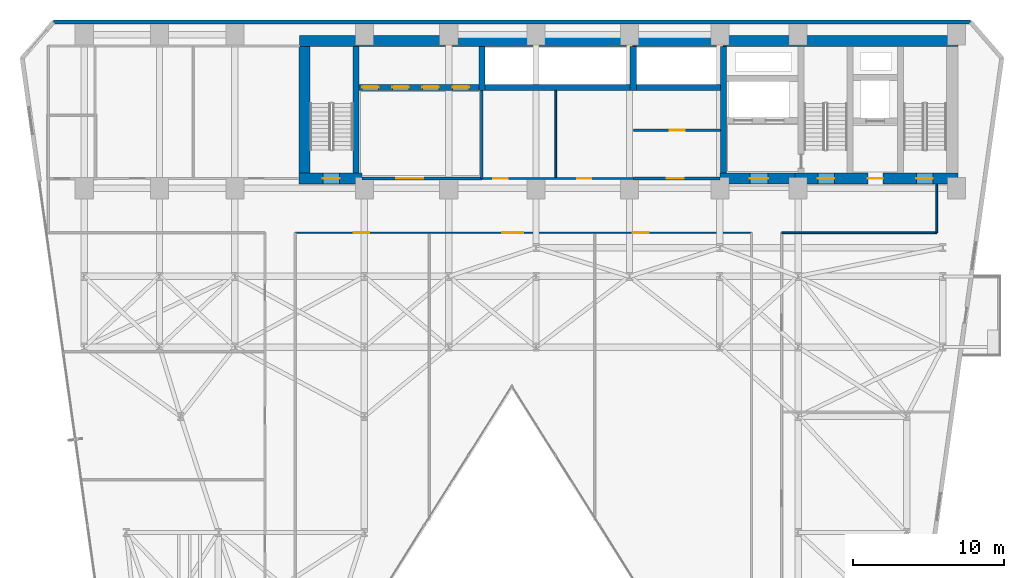
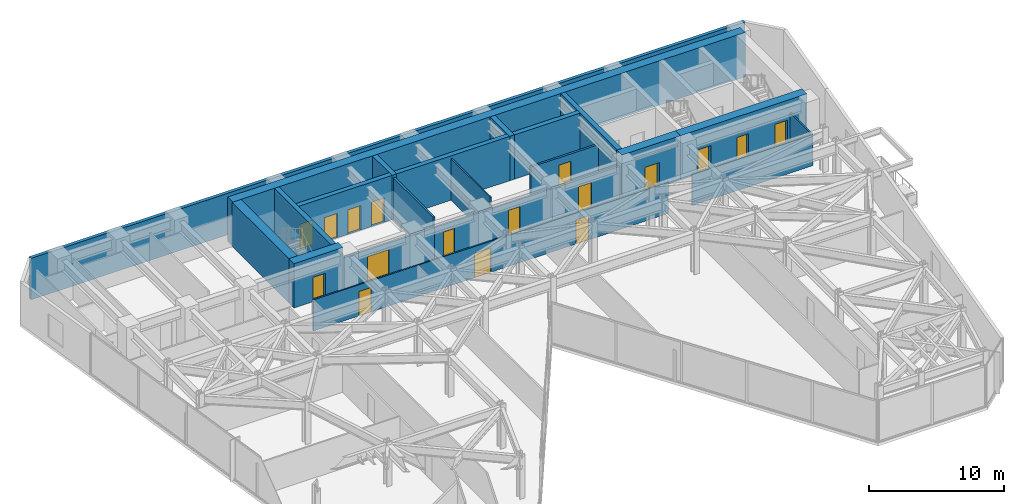
# One storey, part 20 of 25: 22 walls, 17 doors, 17 openings.
"""IFC4 building model written with IfcOpenShell, lengths in metres."""

from ifc_helpers import new_model, si_unit, direction, frame, frame_2d, origin, place, context, subcontext, project, spatial, rectangle, extrude, material, layer, layer_set, type_object, element, fill, save


model = new_model("IFC4")

# Units and contexts
model_context = context("Model", 3, precision=1e-05, world=origin(), true_north=direction((0.0, 1.0)))
body_context = subcontext(model_context, "Body", "Model", "MODEL_VIEW")
ifc_project = project(units=[si_unit("LENGTHUNIT", "METRE"), si_unit("AREAUNIT", "SQUARE_METRE"), si_unit("VOLUMEUNIT", "CUBIC_METRE"), si_unit("PLANEANGLEUNIT", "RADIAN"), si_unit("MASSUNIT", "GRAM", prefix="KILO")], contexts=[model_context])

# Site, building, storey
site_placement = place(None, origin())
site = spatial("IfcSite", under=ifc_project, at=site_placement, CompositionType="ELEMENT")
building_placement = place(site_placement, origin())
building = spatial("IfcBuilding", under=site, at=building_placement, Name="Kravanh Interchange Tower", CompositionType="ELEMENT")
storey_placement = place(building_placement, frame((0.0, 0.0, 33.5)))
storey = spatial("IfcBuildingStorey", under=building, at=storey_placement, Name="L07", CompositionType="ELEMENT", Elevation=33.5)

# Wall
ifc_material_1 = material(Name="Double Acoustic Gypsum Board and Mineral Wool")
ifc_layer_1 = layer(ifc_material_1, 0.1201171875)
ifc_layer_set_1 = layer_set([ifc_layer_1], Name="Acoustic Office Drywall Partition 120mm")
wall_type_1 = type_object("IfcWallType", Name="Acoustic Office Drywall Partition 120mm", PredefinedType="PARTITIONING", material=ifc_layer_set_1)
wall_1_placement = place(storey_placement, frame((39.89990234375, 38.068115234375, 0.0), z_axis=(0.0, 0.0, 1.0), x_axis=(0.0, 1.0, 0.0)))
element("IfcWall", 1, at=wall_1_placement, inside=storey, type_object=wall_type_1, Name="L07 Interior Partition 6", PredefinedType="PARTITIONING", context=body_context, shape_type="SweptSolid", body=[
    extrude(rectangle(XDim=5.77392578125, YDim=0.1201171875, at=frame_2d((2.886962890625, 0.0))), origin(), (0.0, 0.0, 1.0), 3.739990234375),
])

# Wall, openings, doors
wall_2_placement = place(storey_placement, frame((22.60009765625, 34.39990234375, 0.0), z_axis=(0.0, 0.0, 1.0), x_axis=(1.0, 0.0, 0.0)))
wall_2 = element("IfcWall", 2, at=wall_2_placement, inside=storey, type_object=wall_type_1, Name="L07 Interior Partition 14", PredefinedType="PARTITIONING", context=body_context, shape_type="SweptSolid", body=[
    extrude(rectangle(XDim=30.2998046875, YDim=0.1201171875, at=frame_2d((15.14990234375, 0.0))), origin(), (0.0, 0.0, 1.0), 2.81298828125),
])
opening_1_placement = place(wall_2_placement, frame((3.884521484375, 0.0, 0.0)))
opening_1 = element("IfcOpeningElement", 3, at=opening_1_placement, cuts=wall_2, Name="Opening D-105", PredefinedType="OPENING", context=body_context, shape_type="SweptSolid", body=[
    extrude(rectangle(XDim=1.050048828125, YDim=2.199951171875, at=frame_2d((0.52490234375, 1.10009765625))), frame((0.0, 0.070068359375, 0.0), z_axis=(0.0, -1.0, 0.0), x_axis=(1.0, 0.0, 0.0)), (0.0, 0.0, 1.0), 0.14013671875),
])
opening_2_placement = place(wall_2_placement, frame((13.740234375, 0.0, 0.0)))
opening_2 = element("IfcOpeningElement", 4, at=opening_2_placement, cuts=wall_2, Name="Opening DBL-140", PredefinedType="OPENING", context=body_context, shape_type="SweptSolid", body=[
    extrude(rectangle(XDim=1.39990234375, YDim=2.199951171875, at=frame_2d((0.699951171875, 1.10009765625))), frame((0.0, 0.070068359375, 0.0), z_axis=(0.0, -1.0, 0.0), x_axis=(1.0, 0.0, 0.0)), (0.0, 0.0, 1.0), 0.14013671875),
])
opening_3_placement = place(wall_2_placement, frame((22.41552734375, 0.0, 0.0)))
opening_3 = element("IfcOpeningElement", 5, at=opening_3_placement, cuts=wall_2, Name="Opening D-105", PredefinedType="OPENING", context=body_context, shape_type="SweptSolid", body=[
    extrude(rectangle(XDim=1.050048828125, YDim=2.199951171875, at=frame_2d((0.52490234375, 1.10009765625))), frame((0.0, 0.070068359375, 0.0), z_axis=(0.0, -1.0, 0.0), x_axis=(1.0, 0.0, 0.0)), (0.0, 0.0, 1.0), 0.14013671875),
])
ifc_material_2 = material(Name="Acoustic Bronze-Framed Glass", Category="glass")
door_type_1 = type_object("IfcDoorType", Name="Hospitality Lounge Double Door 1400x2200", OperationType="DOUBLE_DOOR_SINGLE_SWING", PredefinedType="DOOR", material=ifc_material_2)
door_1_placement = place(opening_2_placement, origin())
door_1 = element("IfcDoor", 6, at=door_1_placement, inside=storey, type_object=door_type_1, Name="L07 Staff Tea Kitchenette Door", OperationType="DOUBLE_DOOR_SINGLE_SWING", OverallHeight=2.199951171875, OverallWidth=1.39990234375, PredefinedType="DOOR", context=body_context, shape_type="SweptSolid", body=[
    extrude(rectangle(XDim=1.39990234375, YDim=2.199951171875, at=frame_2d((0.699951171875, 1.10009765625))), frame((0.0, 0.02490234375, 0.0), z_axis=(0.0, -1.0, 0.0), x_axis=(1.0, 0.0, 0.0)), (0.0, 0.0, 1.0), 0.050048828125),
])
fill(opening_2, door_1)
ifc_material_3 = material(Name="Acoustic Glazed Oak and Aluminium", Category="aluminium")
door_type_2 = type_object("IfcDoorType", Name="Office Workplace Door 1050x2200", OperationType="NOTDEFINED", PredefinedType="DOOR", material=ifc_material_3)
door_2_placement = place(opening_1_placement, origin())
door_2 = element("IfcDoor", 7, at=door_2_placement, inside=storey, type_object=door_type_2, Name="L07 Central Briefing Boardroom Door", OperationType="SINGLE_SWING_RIGHT", OverallHeight=2.199951171875, OverallWidth=1.050048828125, PredefinedType="DOOR", context=body_context, shape_type="SweptSolid", body=[
    extrude(rectangle(XDim=1.050048828125, YDim=2.199951171875, at=frame_2d((0.52490234375, 1.10009765625))), frame((0.0, 0.02490234375, 0.0), z_axis=(0.0, -1.0, 0.0), x_axis=(1.0, 0.0, 0.0)), (0.0, 0.0, 1.0), 0.050048828125),
])
fill(opening_1, door_2)
door_3_placement = place(opening_3_placement, origin())
door_3 = element("IfcDoor", 8, at=door_3_placement, inside=storey, type_object=door_type_2, Name="L07 Project Archive Store Door", OperationType="SINGLE_SWING_LEFT", OverallHeight=2.199951171875, OverallWidth=1.050048828125, PredefinedType="DOOR", context=body_context, shape_type="SweptSolid", body=[
    extrude(rectangle(XDim=1.050048828125, YDim=2.199951171875, at=frame_2d((0.52490234375, 1.10009765625))), frame((0.0, 0.02490234375, 0.0), z_axis=(0.0, -1.0, 0.0), x_axis=(1.0, 0.0, 0.0)), (0.0, 0.0, 1.0), 0.050048828125),
])
fill(opening_3, door_3)

# Walls
wall_3_placement = place(storey_placement, frame((54.89990234375, 34.39990234375, 0.0), z_axis=(0.0, 0.0, 1.0), x_axis=(1.0, 0.0, 0.0)))
element("IfcWall", 9, at=wall_3_placement, inside=storey, type_object=wall_type_1, Name="L07 Interior Partition 15", PredefinedType="PARTITIONING", context=body_context, shape_type="SweptSolid", body=[
    extrude(rectangle(XDim=10.300048828125, YDim=0.1201171875, at=frame_2d((5.14990234375, 0.0))), origin(), (0.0, 0.0, 1.0), 2.81298828125),
])
wall_4_placement = place(storey_placement, frame((65.199951171875, 34.39990234375, 0.0), z_axis=(0.0, 0.0, 1.0), x_axis=(0.0, 1.0, 0.0)))
element("IfcWall", 10, at=wall_4_placement, inside=storey, type_object=wall_type_1, Name="L07 Interior Partition 17", PredefinedType="PARTITIONING", context=body_context, shape_type="SweptSolid", body=[
    extrude(rectangle(XDim=3.217041015625, YDim=0.1201171875, at=frame_2d((1.6083984375, 0.0))), origin(), (0.0, 0.0, 1.0), 2.81298828125),
])
ifc_material_4 = material(Name="Concrete C80/95", Category="concrete")
ifc_layer_2 = layer(ifc_material_4, 0.39990234375)
ifc_layer_set_2 = layer_set([ifc_layer_2], Name="Core Shear Wall Concrete C80/95 400mm")
wall_type_2 = type_object("IfcWallType", Name="Core Shear Wall Concrete C80/95 400mm", PredefinedType="SHEAR", material=ifc_layer_set_2)
wall_5_placement = place(storey_placement, frame((51.050048828125, 38.375, 0.0), z_axis=(0.0, 0.0, 1.0), x_axis=(0.0, 1.0, 0.0)))
element("IfcWall", 11, at=wall_5_placement, inside=storey, type_object=wall_type_2, Name="L07 Firefighting Lobby West Wall", PredefinedType="SHEAR", context=body_context, shape_type="SweptSolid", body=[
    extrude(rectangle(XDim=8.375, YDim=0.39990234375, at=frame_2d((4.1875, 0.0))), origin(), (0.0, 0.0, 1.0), 4.0),
])
wall_6_placement = place(storey_placement, frame((45.25, 44.050048828125, 0.0), z_axis=(0.0, 0.0, 1.0), x_axis=(1.0, 0.0, 0.0)))
element("IfcWall", 12, at=wall_6_placement, inside=storey, type_object=wall_type_2, Name="L07 High-Rise Lift Shaft South Wall", PredefinedType="SHEAR", context=body_context, shape_type="SweptSolid", body=[
    extrude(rectangle(XDim=5.60009765625, YDim=0.39990234375, at=frame_2d((2.800048828125, 0.0))), origin(), (0.0, 0.0, 1.0), 4.0),
])
wall_7_placement = place(storey_placement, frame((45.050048828125, 43.85009765625, 0.0), z_axis=(0.0, 0.0, 1.0), x_axis=(0.0, 1.0, 0.0)))
element("IfcWall", 13, at=wall_7_placement, inside=storey, type_object=wall_type_2, Name="L07 High-Rise Lift Shaft West Wall", PredefinedType="SHEAR", context=body_context, shape_type="SweptSolid", body=[
    extrude(rectangle(XDim=2.89990234375, YDim=0.39990234375, at=frame_2d((1.449951171875, 0.0))), origin(), (0.0, 0.0, 1.0), 4.0),
])
wall_8_placement = place(storey_placement, frame((35.199951171875, 44.050048828125, 0.0), z_axis=(0.0, 0.0, 1.0), x_axis=(1.0, 0.0, 0.0)))
element("IfcWall", 14, at=wall_8_placement, inside=storey, type_object=wall_type_2, Name="L07 Mid-Rise Lift Shaft South Wall", PredefinedType="SHEAR", context=body_context, shape_type="SweptSolid", body=[
    extrude(rectangle(XDim=9.650146484375, YDim=0.39990234375, at=frame_2d((4.8251953125, 0.0))), origin(), (0.0, 0.0, 1.0), 4.0),
])
wall_9_placement = place(storey_placement, frame((35.0, 43.85009765625, 0.0), z_axis=(0.0, 0.0, 1.0), x_axis=(0.0, 1.0, 0.0)))
element("IfcWall", 15, at=wall_9_placement, inside=storey, type_object=wall_type_2, Name="L07 Mid-Rise Lift Shaft West Wall", PredefinedType="SHEAR", context=body_context, shape_type="SweptSolid", body=[
    extrude(rectangle(XDim=2.89990234375, YDim=0.39990234375, at=frame_2d((1.449951171875, 0.0))), origin(), (0.0, 0.0, 1.0), 4.0),
])

# Wall, openings, doors
wall_10_placement = place(storey_placement, frame((26.85009765625, 44.050048828125, 0.0), z_axis=(0.0, 0.0, 1.0), x_axis=(1.0, 0.0, 0.0)))
wall_10 = element("IfcWall", 16, at=wall_10_placement, inside=storey, type_object=wall_type_2, Name="L07 Low-Rise Lift Shaft South Wall", PredefinedType="SHEAR", context=body_context, shape_type="SweptSolid", body=[
    extrude(rectangle(XDim=7.949951171875, YDim=0.39990234375, at=frame_2d((3.97509765625, 0.0))), origin(), (0.0, 0.0, 1.0), 4.0),
])
opening_4_placement = place(wall_10_placement, frame((0.199951171875, 0.0, 0.0)))
opening_4 = element("IfcOpeningElement", 17, at=opening_4_placement, cuts=wall_10, Name="Opening LD01", PredefinedType="OPENING", context=body_context, shape_type="SweptSolid", body=[
    extrude(rectangle(XDim=1.10009765625, YDim=2.199951171875, at=frame_2d((0.550048828125, 1.10009765625))), frame((0.0, 0.2099609375, 0.0), z_axis=(0.0, -1.0, 0.0), x_axis=(1.0, 0.0, 0.0)), (0.0, 0.0, 1.0), 0.419921875),
])
opening_5_placement = place(wall_10_placement, frame((2.199951171875, 0.0, 0.0)))
opening_5 = element("IfcOpeningElement", 18, at=opening_5_placement, cuts=wall_10, Name="Opening LD01", PredefinedType="OPENING", context=body_context, shape_type="SweptSolid", body=[
    extrude(rectangle(XDim=1.10009765625, YDim=2.199951171875, at=frame_2d((0.550048828125, 1.10009765625))), frame((0.0, 0.2099609375, 0.0), z_axis=(0.0, -1.0, 0.0), x_axis=(1.0, 0.0, 0.0)), (0.0, 0.0, 1.0), 0.419921875),
])
opening_6_placement = place(wall_10_placement, frame((4.199951171875, 0.0, 0.0)))
opening_6 = element("IfcOpeningElement", 19, at=opening_6_placement, cuts=wall_10, Name="Opening LD01", PredefinedType="OPENING", context=body_context, shape_type="SweptSolid", body=[
    extrude(rectangle(XDim=1.10009765625, YDim=2.199951171875, at=frame_2d((0.550048828125, 1.10009765625))), frame((0.0, 0.2099609375, 0.0), z_axis=(0.0, -1.0, 0.0), x_axis=(1.0, 0.0, 0.0)), (0.0, 0.0, 1.0), 0.419921875),
])
opening_7_placement = place(wall_10_placement, frame((6.199951171875, 0.0, 0.0)))
opening_7 = element("IfcOpeningElement", 20, at=opening_7_placement, cuts=wall_10, Name="Opening LD01", PredefinedType="OPENING", context=body_context, shape_type="SweptSolid", body=[
    extrude(rectangle(XDim=1.10009765625, YDim=2.199951171875, at=frame_2d((0.550048828125, 1.10009765625))), frame((0.0, 0.2099609375, 0.0), z_axis=(0.0, -1.0, 0.0), x_axis=(1.0, 0.0, 0.0)), (0.0, 0.0, 1.0), 0.419921875),
])
ifc_material_5 = material(Name="Stainless Steel 304", Category="steel")
door_type_3 = type_object("IfcDoorType", Name="Passenger Lift Sliding Landing Door 1100x2200", OperationType="DOUBLE_DOOR_SLIDING", PredefinedType="DOOR", material=ifc_material_5)
door_4_placement = place(opening_4_placement, origin())
door_4 = element("IfcDoor", 21, at=door_4_placement, inside=storey, type_object=door_type_3, Name="L07 Lift LP-L1 Landing Door", OperationType="DOUBLE_DOOR_SLIDING", OverallHeight=2.199951171875, OverallWidth=1.10009765625, PredefinedType="DOOR", context=body_context, shape_type="SweptSolid", body=[
    extrude(rectangle(XDim=1.10009765625, YDim=2.199951171875, at=frame_2d((0.550048828125, 1.10009765625))), frame((0.0, 0.02490234375, 0.0), z_axis=(0.0, -1.0, 0.0), x_axis=(1.0, 0.0, 0.0)), (0.0, 0.0, 1.0), 0.050048828125),
])
fill(opening_4, door_4)
door_5_placement = place(opening_5_placement, origin())
door_5 = element("IfcDoor", 22, at=door_5_placement, inside=storey, type_object=door_type_3, Name="L07 Lift LP-L2 Landing Door", OperationType="DOUBLE_DOOR_SLIDING", OverallHeight=2.199951171875, OverallWidth=1.10009765625, PredefinedType="DOOR", context=body_context, shape_type="SweptSolid", body=[
    extrude(rectangle(XDim=1.10009765625, YDim=2.199951171875, at=frame_2d((0.550048828125, 1.10009765625))), frame((0.0, 0.02490234375, 0.0), z_axis=(0.0, -1.0, 0.0), x_axis=(1.0, 0.0, 0.0)), (0.0, 0.0, 1.0), 0.050048828125),
])
fill(opening_5, door_5)
door_6_placement = place(opening_6_placement, origin())
door_6 = element("IfcDoor", 23, at=door_6_placement, inside=storey, type_object=door_type_3, Name="L07 Lift LP-L3 Landing Door", OperationType="DOUBLE_DOOR_SLIDING", OverallHeight=2.199951171875, OverallWidth=1.10009765625, PredefinedType="DOOR", context=body_context, shape_type="SweptSolid", body=[
    extrude(rectangle(XDim=1.10009765625, YDim=2.199951171875, at=frame_2d((0.550048828125, 1.10009765625))), frame((0.0, 0.02490234375, 0.0), z_axis=(0.0, -1.0, 0.0), x_axis=(1.0, 0.0, 0.0)), (0.0, 0.0, 1.0), 0.050048828125),
])
fill(opening_6, door_6)
door_7_placement = place(opening_7_placement, origin())
door_7 = element("IfcDoor", 24, at=door_7_placement, inside=storey, type_object=door_type_3, Name="L07 Lift LP-L4 Landing Door", OperationType="DOUBLE_DOOR_SLIDING", OverallHeight=2.199951171875, OverallWidth=1.10009765625, PredefinedType="DOOR", context=body_context, shape_type="SweptSolid", body=[
    extrude(rectangle(XDim=1.10009765625, YDim=2.199951171875, at=frame_2d((0.550048828125, 1.10009765625))), frame((0.0, 0.02490234375, 0.0), z_axis=(0.0, -1.0, 0.0), x_axis=(1.0, 0.0, 0.0)), (0.0, 0.0, 1.0), 0.050048828125),
])
fill(opening_7, door_7)

# Walls
wall_11_placement = place(storey_placement, frame((26.64990234375, 38.375, 0.0), z_axis=(0.0, 0.0, 1.0), x_axis=(0.0, 1.0, 0.0)))
element("IfcWall", 25, at=wall_11_placement, inside=storey, type_object=wall_type_2, Name="L07 Stair ST3 East Shear Wall", PredefinedType="SHEAR", context=body_context, shape_type="SweptSolid", body=[
    extrude(rectangle(XDim=8.375, YDim=0.39990234375, at=frame_2d((4.1875, 0.0))), origin(), (0.0, 0.0, 1.0), 4.0),
])
ifc_material_6 = material(Name="Concrete C80/95", Category="concrete")
ifc_layer_3 = layer(ifc_material_6, 0.75)
ifc_layer_set_3 = layer_set([ifc_layer_3], Name="Core Shear Wall Concrete C80/95 750mm")
wall_type_3 = type_object("IfcWallType", Name="Core Shear Wall Concrete C80/95 750mm", PredefinedType="SHEAR", material=ifc_layer_set_3)
wall_12_placement = place(storey_placement, frame((22.89990234375, 47.125, 0.0), z_axis=(0.0, 0.0, 1.0), x_axis=(1.0, 0.0, 0.0)))
element("IfcWall", 26, at=wall_12_placement, inside=storey, type_object=wall_type_3, Name="L07 North Core Shear Wall", PredefinedType="SHEAR", context=body_context, shape_type="SweptSolid", body=[
    extrude(rectangle(XDim=43.7001953125, YDim=0.75, at=frame_2d((21.85009765625, 0.0))), origin(), (0.0, 0.0, 1.0), 4.0),
])

# Wall, openings, doors
wall_13_placement = place(storey_placement, frame((55.800048828125, 38.0, 0.0), z_axis=(0.0, 0.0, 1.0), x_axis=(1.0, 0.0, 0.0)))
wall_13 = element("IfcWall", 27, at=wall_13_placement, inside=storey, type_object=wall_type_3, Name="L07 East Core South Shear Wall", PredefinedType="SHEAR", context=body_context, shape_type="SweptSolid", body=[
    extrude(rectangle(XDim=10.800048828125, YDim=0.75, at=frame_2d((5.39990234375, 0.0))), origin(), (0.0, 0.0, 1.0), 4.0),
])
opening_8_placement = place(wall_13_placement, frame((1.5, 0.0, 0.0)))
opening_8 = element("IfcOpeningElement", 28, at=opening_8_placement, cuts=wall_13, Name="Opening D-STAIR-110", PredefinedType="OPENING", context=body_context, shape_type="SweptSolid", body=[
    extrude(rectangle(XDim=1.10009765625, YDim=2.199951171875, at=frame_2d((0.550048828125, 1.10009765625))), frame((0.0, 0.385009765625, 0.0), z_axis=(0.0, -1.0, 0.0), x_axis=(1.0, 0.0, 0.0)), (0.0, 0.0, 1.0), 0.77001953125),
])
opening_9_placement = place(wall_13_placement, frame((4.820068359375, 0.0, 0.0)))
opening_9 = element("IfcOpeningElement", 29, at=opening_9_placement, cuts=wall_13, Name="Opening D-HOTEL-100", PredefinedType="OPENING", context=body_context, shape_type="SweptSolid", body=[
    extrude(rectangle(XDim=1.0, YDim=2.14990234375, at=frame_2d((0.5, 1.074951171875))), frame((0.0, 0.385009765625, 0.0), z_axis=(0.0, -1.0, 0.0), x_axis=(1.0, 0.0, 0.0)), (0.0, 0.0, 1.0), 0.77001953125),
])
opening_10_placement = place(wall_13_placement, frame((8.050048828125, 0.0, 0.0)))
opening_10 = element("IfcOpeningElement", 30, at=opening_10_placement, cuts=wall_13, Name="Opening D-STAIR-110", PredefinedType="OPENING", context=body_context, shape_type="SweptSolid", body=[
    extrude(rectangle(XDim=1.10009765625, YDim=2.199951171875, at=frame_2d((0.550048828125, 1.10009765625))), frame((0.0, 0.385009765625, 0.0), z_axis=(0.0, -1.0, 0.0), x_axis=(1.0, 0.0, 0.0)), (0.0, 0.0, 1.0), 0.77001953125),
])
ifc_material_7 = material(Name="Structural Steel S355", Category="steel")
door_type_4 = type_object("IfcDoorType", Name="Fire-Rated Exit Stair Door 1100x2200", OperationType="NOTDEFINED", PredefinedType="DOOR", material=ifc_material_7)
door_8_placement = place(opening_8_placement, origin())
door_8 = element("IfcDoor", 31, at=door_8_placement, inside=storey, type_object=door_type_4, Name="L07 Exit Stair ST2 Door", OperationType="SINGLE_SWING_RIGHT", OverallHeight=2.199951171875, OverallWidth=1.10009765625, PredefinedType="DOOR", context=body_context, shape_type="SweptSolid", body=[
    extrude(rectangle(XDim=1.10009765625, YDim=2.199951171875, at=frame_2d((0.550048828125, 1.10009765625))), frame((0.0, 0.02490234375, 0.0), z_axis=(0.0, -1.0, 0.0), x_axis=(1.0, 0.0, 0.0)), (0.0, 0.0, 1.0), 0.050048828125),
])
fill(opening_8, door_8)
door_9_placement = place(opening_10_placement, origin())
door_9 = element("IfcDoor", 32, at=door_9_placement, inside=storey, type_object=door_type_4, Name="L07 Exit Stair ST1 Door", OperationType="SINGLE_SWING_RIGHT", OverallHeight=2.199951171875, OverallWidth=1.10009765625, PredefinedType="DOOR", context=body_context, shape_type="SweptSolid", body=[
    extrude(rectangle(XDim=1.10009765625, YDim=2.199951171875, at=frame_2d((0.550048828125, 1.10009765625))), frame((0.0, 0.02490234375, 0.0), z_axis=(0.0, -1.0, 0.0), x_axis=(1.0, 0.0, 0.0)), (0.0, 0.0, 1.0), 0.050048828125),
])
fill(opening_10, door_9)
ifc_material_8 = material(Name="Fire-Rated Solid Timber Leaf", Category="wood")
door_type_5 = type_object("IfcDoorType", Name="Fire-Rated Suite Entrance Door 1000x2150", OperationType="NOTDEFINED", PredefinedType="DOOR", material=ifc_material_8)
door_10_placement = place(opening_9_placement, origin())
door_10 = element("IfcDoor", 33, at=door_10_placement, inside=storey, type_object=door_type_5, Name="L07 Service Lift Lobby Door", OperationType="SINGLE_SWING_RIGHT", OverallHeight=2.14990234375, OverallWidth=1.0, PredefinedType="DOOR", context=body_context, shape_type="SweptSolid", body=[
    extrude(rectangle(XDim=1.0, YDim=2.14990234375, at=frame_2d((0.5, 1.074951171875))), frame((0.0, 0.02490234375, 0.0), z_axis=(0.0, -1.0, 0.0), x_axis=(1.0, 0.0, 0.0)), (0.0, 0.0, 1.0), 0.050048828125),
])
fill(opening_9, door_10)

# Wall, opening, door
wall_14_placement = place(storey_placement, frame((50.800048828125, 38.0, 0.0), z_axis=(0.0, 0.0, 1.0), x_axis=(1.0, 0.0, 0.0)))
wall_14 = element("IfcWall", 34, at=wall_14_placement, inside=storey, type_object=wall_type_3, Name="L07 Firefighting Lobby South Shear Wall", PredefinedType="SHEAR", context=body_context, shape_type="SweptSolid", body=[
    extrude(rectangle(XDim=5.0, YDim=0.75, at=frame_2d((2.5, 0.0))), origin(), (0.0, 0.0, 1.0), 4.0),
])
opening_11_placement = place(wall_14_placement, frame((2.0, 0.0, 0.0)))
opening_11 = element("IfcOpeningElement", 35, at=opening_11_placement, cuts=wall_14, Name="Opening D-FSAE-120", PredefinedType="OPENING", context=body_context, shape_type="SweptSolid", body=[
    extrude(rectangle(XDim=1.199951171875, YDim=2.199951171875, at=frame_2d((0.60009765625, 1.10009765625))), frame((0.0, 0.385009765625, 0.0), z_axis=(0.0, -1.0, 0.0), x_axis=(1.0, 0.0, 0.0)), (0.0, 0.0, 1.0), 0.77001953125),
])
ifc_material_9 = material(Name="Structural Steel S355", Category="steel")
door_type_6 = type_object("IfcDoorType", Name="Fire-Rated Refuge and FSAE Door 1200x2200", OperationType="NOTDEFINED", PredefinedType="DOOR", material=ifc_material_9)
door_11_placement = place(opening_11_placement, origin())
door_11 = element("IfcDoor", 36, at=door_11_placement, inside=storey, type_object=door_type_6, Name="L07 Firefighting Lobby Corridor Door", OperationType="SINGLE_SWING_RIGHT", OverallHeight=2.199951171875, OverallWidth=1.199951171875, PredefinedType="DOOR", context=body_context, shape_type="SweptSolid", body=[
    extrude(rectangle(XDim=1.199951171875, YDim=2.199951171875, at=frame_2d((0.60009765625, 1.10009765625))), frame((0.0, 0.02490234375, 0.0), z_axis=(0.0, -1.0, 0.0), x_axis=(1.0, 0.0, 0.0)), (0.0, 0.0, 1.0), 0.050048828125),
])
fill(opening_11, door_11)

wall_15_placement = place(storey_placement, frame((22.85009765625, 38.0, 0.0), z_axis=(0.0, 0.0, 1.0), x_axis=(1.0, 0.0, 0.0)))
wall_15 = element("IfcWall", 37, at=wall_15_placement, inside=storey, type_object=wall_type_3, Name="L07 Stair ST3 South Shear Wall", PredefinedType="SHEAR", context=body_context, shape_type="SweptSolid", body=[
    extrude(rectangle(XDim=4.199951171875, YDim=0.75, at=frame_2d((2.10009765625, 0.0))), origin(), (0.0, 0.0, 1.0), 4.0),
])
opening_12_placement = place(wall_15_placement, frame((1.60009765625, 0.0, 0.0)))
opening_12 = element("IfcOpeningElement", 38, at=opening_12_placement, cuts=wall_15, Name="Opening D-STAIR-110", PredefinedType="OPENING", context=body_context, shape_type="SweptSolid", body=[
    extrude(rectangle(XDim=1.10009765625, YDim=2.199951171875, at=frame_2d((0.550048828125, 1.10009765625))), frame((0.0, 0.385009765625, 0.0), z_axis=(0.0, -1.0, 0.0), x_axis=(1.0, 0.0, 0.0)), (0.0, 0.0, 1.0), 0.77001953125),
])
door_12_placement = place(opening_12_placement, origin())
door_12 = element("IfcDoor", 39, at=door_12_placement, inside=storey, type_object=door_type_4, Name="L07 Exit Stair ST3 Door", OperationType="SINGLE_SWING_RIGHT", OverallHeight=2.199951171875, OverallWidth=1.10009765625, PredefinedType="DOOR", context=body_context, shape_type="SweptSolid", body=[
    extrude(rectangle(XDim=1.10009765625, YDim=2.199951171875, at=frame_2d((0.550048828125, 1.10009765625))), frame((0.0, 0.02490234375, 0.0), z_axis=(0.0, -1.0, 0.0), x_axis=(1.0, 0.0, 0.0)), (0.0, 0.0, 1.0), 0.050048828125),
])
fill(opening_12, door_12)

# Walls
wall_16_placement = place(storey_placement, frame((23.22509765625, 38.375, 0.0), z_axis=(0.0, 0.0, 1.0), x_axis=(0.0, 1.0, 0.0)))
element("IfcWall", 40, at=wall_16_placement, inside=storey, type_object=wall_type_3, Name="L07 Stair ST3 West Shear Wall", PredefinedType="SHEAR", context=body_context, shape_type="SweptSolid", body=[
    extrude(rectangle(XDim=8.375, YDim=0.75, at=frame_2d((4.1875, 0.0))), origin(), (0.0, 0.0, 1.0), 4.0),
])
ifc_material_10 = material(Name="Insulated Precast Concrete C40/50 with Bronze Cladding", Category="concrete")
ifc_layer_4 = layer(ifc_material_10, 0.280029296875)
ifc_layer_set_4 = layer_set([ifc_layer_4], Name="Exterior Insulated Concrete C40/50 Bronze Spandrel Wall 280mm")
wall_type_4 = type_object("IfcWallType", Name="Exterior Insulated Concrete C40/50 Bronze Spandrel Wall 280mm", PredefinedType="STANDARD", material=ifc_layer_set_4)
wall_17_placement = place(storey_placement, frame((6.5546875, 48.3798828125, 0.0), z_axis=(0.0, 0.0, 1.0), x_axis=(1.0, 0.0, 0.0)))
element("IfcWall", 41, at=wall_17_placement, inside=storey, type_object=wall_type_4, Name="L07 Exterior Wall 3", PredefinedType="STANDARD", context=body_context, shape_type="SweptSolid", body=[
    extrude(rectangle(XDim=60.890625, YDim=0.280029296875, at=frame_2d((30.4453125, 0.0))), origin(), (0.0, 0.0, 1.0), 3.739990234375),
])

# Wall, opening, door
ifc_material_11 = material(Name="Autoclaved Aerated Concrete C30/37 Blockwork", Category="masonry")
ifc_layer_5 = layer(ifc_material_11, 0.179931640625)
ifc_layer_set_5 = layer_set([ifc_layer_5], Name="Fire-Rated Lobby and Corridor Wall Concrete C30/37 180mm")
wall_type_5 = type_object("IfcWallType", Name="Fire-Rated Lobby and Corridor Wall Concrete C30/37 180mm", PredefinedType="STANDARD", material=ifc_layer_set_5)
wall_18_placement = place(storey_placement, frame((45.050048828125, 38.0, 0.0), z_axis=(0.0, 0.0, 1.0), x_axis=(1.0, 0.0, 0.0)))
wall_18 = element("IfcWall", 42, at=wall_18_placement, inside=storey, type_object=wall_type_5, Name="L07 Core South Enclosure 1", PredefinedType="STANDARD", context=body_context, shape_type="SweptSolid", body=[
    extrude(rectangle(XDim=5.75, YDim=0.179931640625, at=frame_2d((2.875, 0.0))), origin(), (0.0, 0.0, 1.0), 2.81298828125),
])
opening_13_placement = place(wall_18_placement, frame((2.240478515625, 0.0, 0.0)))
opening_13 = element("IfcOpeningElement", 43, at=opening_13_placement, cuts=wall_18, Name="Opening D-SHAFT-110", PredefinedType="OPENING", context=body_context, shape_type="SweptSolid", body=[
    extrude(rectangle(XDim=1.10009765625, YDim=2.199951171875, at=frame_2d((0.550048828125, 1.10009765625))), frame((0.0, 0.10009765625, 0.0), z_axis=(0.0, -1.0, 0.0), x_axis=(1.0, 0.0, 0.0)), (0.0, 0.0, 1.0), 0.199951171875),
])
ifc_material_12 = material(Name="Fire-Rated Composite Timber Leaf", Category="wood")
door_type_7 = type_object("IfcDoorType", Name="Fire-Rated Core Support Door 1100x2200", OperationType="NOTDEFINED", PredefinedType="DOOR", material=ifc_material_12)
door_13_placement = place(opening_13_placement, origin())
door_13 = element("IfcDoor", 44, at=door_13_placement, inside=storey, type_object=door_type_7, Name="L07 Core Telecom Room Door", OperationType="SINGLE_SWING_LEFT", OverallHeight=2.199951171875, OverallWidth=1.10009765625, PredefinedType="DOOR", context=body_context, shape_type="SweptSolid", body=[
    extrude(rectangle(XDim=1.10009765625, YDim=2.199951171875, at=frame_2d((0.550048828125, 1.10009765625))), frame((0.0, 0.02490234375, 0.0), z_axis=(0.0, -1.0, 0.0), x_axis=(1.0, 0.0, 0.0)), (0.0, 0.0, 1.0), 0.050048828125),
])
fill(opening_13, door_13)

wall_19_placement = place(storey_placement, frame((45.050048828125, 41.199951171875, 0.0), z_axis=(0.0, 0.0, 1.0), x_axis=(1.0, 0.0, 0.0)))
wall_19 = element("IfcWall", 45, at=wall_19_placement, inside=storey, type_object=wall_type_5, Name="L07 Interior Partition 2", PredefinedType="STANDARD", context=body_context, shape_type="SweptSolid", body=[
    extrude(rectangle(XDim=5.7919921875, YDim=0.179931640625, at=frame_2d((2.89599609375, 0.0))), origin(), (0.0, 0.0, 1.0), 2.81298828125),
])
opening_14_placement = place(wall_19_placement, frame((2.425048828125, 0.0, 0.0)))
opening_14 = element("IfcOpeningElement", 46, at=opening_14_placement, cuts=wall_19, Name="Opening D-HOTEL-100", PredefinedType="OPENING", context=body_context, shape_type="SweptSolid", body=[
    extrude(rectangle(XDim=1.0, YDim=2.14990234375, at=frame_2d((0.5, 1.074951171875))), frame((0.0, 0.10009765625, 0.0), z_axis=(0.0, -1.0, 0.0), x_axis=(1.0, 0.0, 0.0)), (0.0, 0.0, 1.0), 0.199951171875),
])
door_14_placement = place(opening_14_placement, origin())
door_14 = element("IfcDoor", 47, at=door_14_placement, inside=storey, type_object=door_type_5, Name="L07 Core Telecom Inner Door", OperationType="SINGLE_SWING_RIGHT", OverallHeight=2.14990234375, OverallWidth=1.0, PredefinedType="DOOR", context=body_context, shape_type="SweptSolid", body=[
    extrude(rectangle(XDim=1.0, YDim=2.14990234375, at=frame_2d((0.5, 1.074951171875))), frame((0.0, 0.02490234375, 0.0), z_axis=(0.0, -1.0, 0.0), x_axis=(1.0, 0.0, 0.0)), (0.0, 0.0, 1.0), 0.050048828125),
])
fill(opening_14, door_14)

# Wall
wall_20_placement = place(storey_placement, frame((35.0, 38.0, 0.0), z_axis=(0.0, 0.0, 1.0), x_axis=(0.0, 1.0, 0.0)))
element("IfcWall", 48, at=wall_20_placement, inside=storey, type_object=wall_type_5, Name="L07 Low-Rise Lobby East Wall 3", PredefinedType="STANDARD", context=body_context, shape_type="SweptSolid", body=[
    extrude(rectangle(XDim=5.85009765625, YDim=0.179931640625, at=frame_2d((2.925048828125, 0.0))), origin(), (0.0, 0.0, 1.0), 3.739990234375),
])

# Wall, opening, door
wall_21_placement = place(storey_placement, frame((27.050048828125, 38.0, 0.0), z_axis=(0.0, 0.0, 1.0), x_axis=(1.0, 0.0, 0.0)))
wall_21 = element("IfcWall", 49, at=wall_21_placement, inside=storey, type_object=wall_type_5, Name="L07 Low-Rise Lobby South Wall 4", PredefinedType="STANDARD", context=body_context, shape_type="SweptSolid", body=[
    extrude(rectangle(XDim=7.949951171875, YDim=0.179931640625, at=frame_2d((3.97509765625, 0.0))), origin(), (0.0, 0.0, 1.0), 2.81298828125),
])
opening_15_placement = place(wall_21_placement, frame((2.25, 0.0, 0.0)))
opening_15 = element("IfcOpeningElement", 50, at=opening_15_placement, cuts=wall_21, Name="Opening DBL-180", PredefinedType="OPENING", context=body_context, shape_type="SweptSolid", body=[
    extrude(rectangle(XDim=1.800048828125, YDim=2.199951171875, at=frame_2d((0.89990234375, 1.10009765625))), frame((0.0, 0.10009765625, 0.0), z_axis=(0.0, -1.0, 0.0), x_axis=(1.0, 0.0, 0.0)), (0.0, 0.0, 1.0), 0.199951171875),
])
ifc_material_13 = material(Name="Structural Steel S355", Category="steel")
door_type_8 = type_object("IfcDoorType", Name="Lift Lobby Double Fire Door 1800x2200", OperationType="DOUBLE_DOOR_SINGLE_SWING", PredefinedType="DOOR", material=ifc_material_13)
door_15_placement = place(opening_15_placement, origin())
door_15 = element("IfcDoor", 51, at=door_15_placement, inside=storey, type_object=door_type_8, Name="L07 Low-Rise Lift Lobby Door", OperationType="DOUBLE_DOOR_SINGLE_SWING", OverallHeight=2.199951171875, OverallWidth=1.800048828125, PredefinedType="DOOR", context=body_context, shape_type="SweptSolid", body=[
    extrude(rectangle(XDim=1.800048828125, YDim=2.199951171875, at=frame_2d((0.89990234375, 1.10009765625))), frame((0.0, 0.02490234375, 0.0), z_axis=(0.0, -1.0, 0.0), x_axis=(1.0, 0.0, 0.0)), (0.0, 0.0, 1.0), 0.050048828125),
])
fill(opening_15, door_15)

# Wall, openings, doors
ifc_material_14 = material(Name="Twin Stud Acoustic Gypsum Board Wall")
ifc_layer_6 = layer(ifc_material_14, 0.14990234375)
ifc_layer_set_6 = layer_set([ifc_layer_6], Name="Medium-Duty Acoustic Partition 150mm")
wall_type_6 = type_object("IfcWallType", Name="Medium-Duty Acoustic Partition 150mm", PredefinedType="PARTITIONING", material=ifc_layer_set_6)
wall_22_placement = place(storey_placement, frame((35.0, 38.0, 0.0), z_axis=(0.0, 0.0, 1.0), x_axis=(1.0, 0.0, 0.0)))
wall_22 = element("IfcWall", 52, at=wall_22_placement, inside=storey, type_object=wall_type_6, Name="L07 Core Support South Wall 5", PredefinedType="PARTITIONING", context=body_context, shape_type="SweptSolid", body=[
    extrude(rectangle(XDim=10.050048828125, YDim=0.14990234375, at=frame_2d((5.02490234375, 0.0))), origin(), (0.0, 0.0, 1.0), 2.81298828125),
])
opening_16_placement = place(wall_22_placement, frame((0.759033203125, 0.0, 0.0)))
opening_16 = element("IfcOpeningElement", 53, at=opening_16_placement, cuts=wall_22, Name="Opening D-95", PredefinedType="OPENING", context=body_context, shape_type="SweptSolid", body=[
    extrude(rectangle(XDim=0.949951171875, YDim=2.14990234375, at=frame_2d((0.47509765625, 1.074951171875))), frame((0.0, 0.0849609375, 0.0), z_axis=(0.0, -1.0, 0.0), x_axis=(1.0, 0.0, 0.0)), (0.0, 0.0, 1.0), 0.169921875),
])
opening_17_placement = place(wall_22_placement, frame((6.324951171875, 0.0, 0.0)))
opening_17 = element("IfcOpeningElement", 54, at=opening_17_placement, cuts=wall_22, Name="Opening D-95", PredefinedType="OPENING", context=body_context, shape_type="SweptSolid", body=[
    extrude(rectangle(XDim=0.949951171875, YDim=2.14990234375, at=frame_2d((0.47509765625, 1.074951171875))), frame((0.0, 0.0849609375, 0.0), z_axis=(0.0, -1.0, 0.0), x_axis=(1.0, 0.0, 0.0)), (0.0, 0.0, 1.0), 0.169921875),
])
ifc_material_15 = material(Name="Laminate Solid-Core Timber", Category="wood")
door_type_9 = type_object("IfcDoorType", Name="Accessible Restroom Door 950x2150", OperationType="NOTDEFINED", PredefinedType="DOOR", material=ifc_material_15)
door_16_placement = place(opening_16_placement, origin())
door_16 = element("IfcDoor", 55, at=door_16_placement, inside=storey, type_object=door_type_9, Name="L07 Core Electrical Room Door", OperationType="SINGLE_SWING_RIGHT", OverallHeight=2.14990234375, OverallWidth=0.949951171875, PredefinedType="DOOR", context=body_context, shape_type="SweptSolid", body=[
    extrude(rectangle(XDim=0.949951171875, YDim=2.14990234375, at=frame_2d((0.47509765625, 1.074951171875))), frame((0.0, 0.02490234375, 0.0), z_axis=(0.0, -1.0, 0.0), x_axis=(1.0, 0.0, 0.0)), (0.0, 0.0, 1.0), 0.050048828125),
])
fill(opening_16, door_16)
door_17_placement = place(opening_17_placement, origin())
door_17 = element("IfcDoor", 56, at=door_17_placement, inside=storey, type_object=door_type_9, Name="L07 Core Cleaners Store Door", OperationType="SINGLE_SWING_LEFT", OverallHeight=2.14990234375, OverallWidth=0.949951171875, PredefinedType="DOOR", context=body_context, shape_type="SweptSolid", body=[
    extrude(rectangle(XDim=0.949951171875, YDim=2.14990234375, at=frame_2d((0.47509765625, 1.074951171875))), frame((0.0, 0.02490234375, 0.0), z_axis=(0.0, -1.0, 0.0), x_axis=(1.0, 0.0, 0.0)), (0.0, 0.0, 1.0), 0.050048828125),
])
fill(opening_17, door_17)

save(model, "model.ifc")
